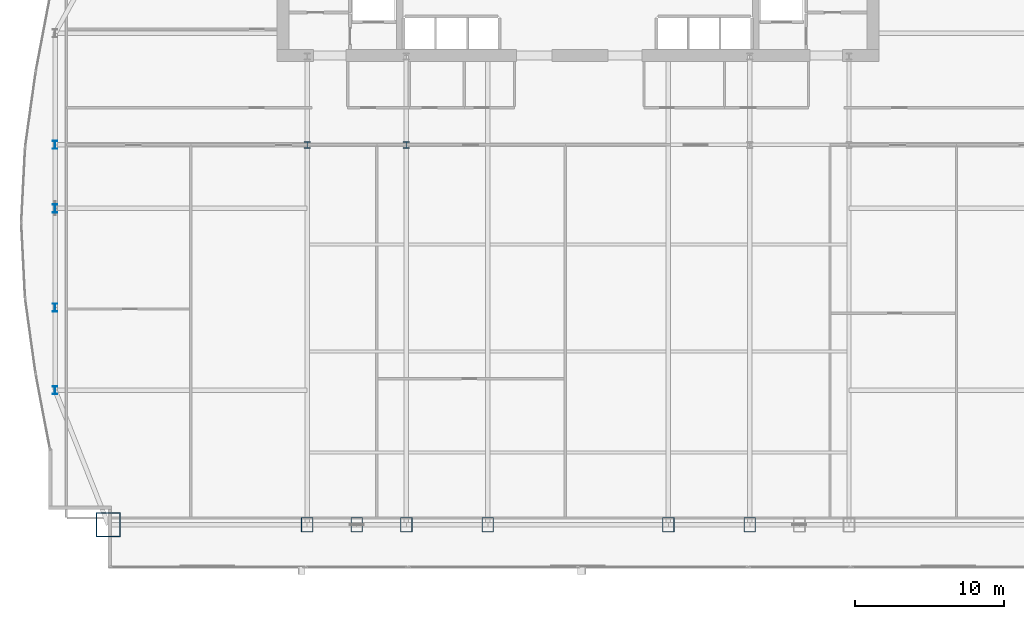
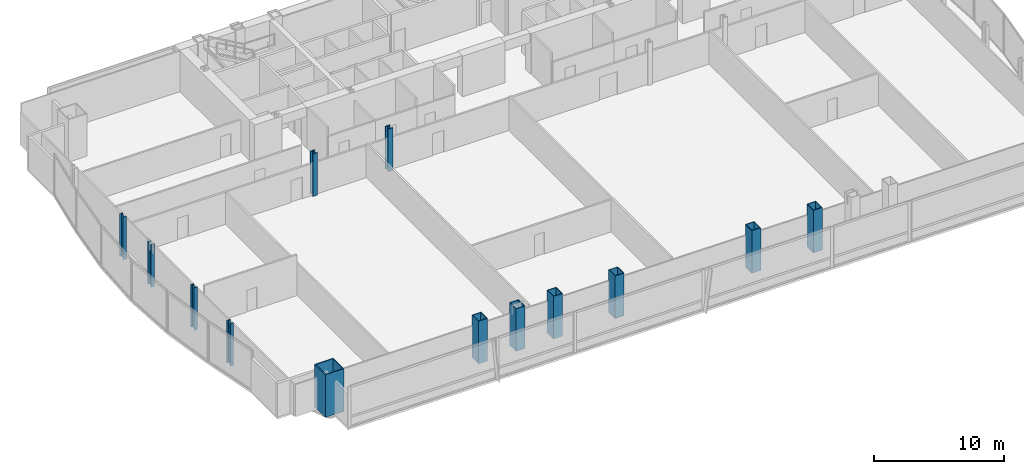
# One storey, part 1 of 37: 13 columns.
"""IFC4 building model written with IfcOpenShell, lengths in metres."""

from ifc_helpers import new_model, si_unit, direction, frame, origin, origin_2d, place, context, subcontext, project, spatial, hollow_rectangle, i_section, extrude, material, material_profile, profile_set, type_object, element, save


model = new_model("IFC4")

# Units and contexts
model_context = context("Model", 3, precision=1e-05, world=origin(), true_north=direction((0.0, 1.0)))
body_context = subcontext(model_context, "Body", "Model", "MODEL_VIEW")
ifc_project = project(units=[si_unit("LENGTHUNIT", "METRE"), si_unit("AREAUNIT", "SQUARE_METRE"), si_unit("VOLUMEUNIT", "CUBIC_METRE"), si_unit("PLANEANGLEUNIT", "RADIAN"), si_unit("MASSUNIT", "GRAM", prefix="KILO")], contexts=[model_context])

# Site, building, storey
site_placement = place(None, origin())
site = spatial("IfcSite", under=ifc_project, at=site_placement, CompositionType="ELEMENT")
building_placement = place(site_placement, origin())
building = spatial("IfcBuilding", under=site, at=building_placement, Name="Khoronbel Lancet Exchange", CompositionType="ELEMENT")
storey_placement = place(building_placement, frame((0.0, 0.0, 45.800048828125)))
storey = spatial("IfcBuildingStorey", under=building, at=storey_placement, Name="L10", CompositionType="ELEMENT", Elevation=45.800048828125)

# Columns
ifc_material_1 = material(Name="Steel S460", Category="steel")
ifc_material_profile_1 = material_profile(ifc_material_1, hollow_rectangle(XDim=0.800048828125, YDim=1.0, WallThickness=0.054931640625, at=origin_2d()), Name="BOX 1000x800x55")
ifc_profile_set_1 = profile_set([ifc_material_profile_1], Name="Steel S460")
column_type_1 = type_object("IfcColumnType", Name="COL-EC1", PredefinedType="COLUMN", material=ifc_profile_set_1)
for number, where, z_axis, x_axis, name in (
    (1, (18.22509765625, 10.14990234375, 0.0), (0.0, 0.0, 1.0), (1.0, 0.0, 0.0), "Structural column SC-W1 L10"),
    (2, (21.5625, 10.14990234375, 0.0), (0.0, 0.0, 1.0), (1.0, 0.0, 0.0), "Structural column SC-WM L10"),
    (3, (24.89990234375, 10.14990234375, 0.0), (0.0, 0.0, 1.0), (1.0, 0.0, 0.0), "Structural column SC-W2 L10"),
    (4, (30.375, 10.14990234375, 0.0), (0.0, 0.0, 1.0), (1.0, 0.0, 0.0), "Structural column SC-C1 L10"),
    (5, (42.52490234375, 10.14990234375, 0.0), (0.0, 0.0, 1.0), (1.0, 0.0, 0.0), "Structural column SC-C2 L10"),
    (6, (48.0, 10.14990234375, 0.0), (0.0, 0.0, 1.0), (1.0, 0.0, 0.0), "Structural column SC-E1 L10"),
):
    element("IfcColumn", number, at=place(storey_placement, frame(where, z_axis=z_axis, x_axis=x_axis)), inside=storey, type_object=column_type_1, Name=name, PredefinedType="COLUMN", context=body_context, shape_type="SweptSolid", body=[
        extrude(hollow_rectangle(XDim=0.800048828125, YDim=1.0, WallThickness=0.054931640625, at=origin_2d()), origin(), (0.0, 0.0, 1.0), 4.0),
    ])
ifc_material_profile_2 = material_profile(ifc_material_1, i_section(OverallWidth=0.424072265625, OverallDepth=0.47412109375, WebThickness=0.047607421875, FlangeThickness=0.076904296875, at=origin_2d()), Name="HD 400x634")
ifc_profile_set_2 = profile_set([ifc_material_profile_2], Name="Steel S460")
column_type_2 = type_object("IfcColumnType", Name="COL-IC1", PredefinedType="COLUMN", material=ifc_profile_set_2)
for number, where, z_axis, x_axis, name in (
    (7, (18.22509765625, 35.699951171875, 0.0), (0.0, 0.0, 1.0), (1.0, 0.0, 0.0), "Spine gravity column TC1 L10"),
    (8, (24.89990234375, 35.699951171875, 0.0), (0.0, 0.0, 1.0), (1.0, 0.0, 0.0), "Spine gravity column TC2 L10"),
):
    element("IfcColumn", number, at=place(storey_placement, frame(where, z_axis=z_axis, x_axis=x_axis)), inside=storey, type_object=column_type_2, Name=name, PredefinedType="COLUMN", context=body_context, shape_type="SweptSolid", body=[
        extrude(i_section(OverallWidth=0.424072265625, OverallDepth=0.47412109375, WebThickness=0.047607421875, FlangeThickness=0.076904296875, at=origin_2d()), origin(), (0.0, 0.0, 1.0), 4.0),
    ])
ifc_material_2 = material(Name="Steel S355", Category="steel")
ifc_material_profile_3 = material_profile(ifc_material_2, i_section(OverallWidth=0.300048828125, OverallDepth=0.550048828125, WebThickness=0.014892578125, FlangeThickness=0.029052734375, at=origin_2d()), Name="HEB 550")
ifc_profile_set_3 = profile_set([ifc_material_profile_3], Name="Steel S355")
column_type_3 = type_object("IfcColumnType", Name="COL-LC1", PredefinedType="COLUMN", material=ifc_profile_set_3)
for number, where, z_axis, x_axis, name in (
    (9, (1.27001953125, 19.199951171875, 0.0), (0.0, 0.0, 1.0), (1.0, 0.0, 0.0), "Structural column WC-1 L10"),
    (10, (1.27001953125, 24.75, 0.0), (0.0, 0.0, 1.0), (1.0, 0.0, 0.0), "Structural column WC-2 L10"),
    (11, (1.27001953125, 31.425048828125, 0.0), (0.0, 0.0, 1.0), (1.0, 0.0, 0.0), "Structural column WC-M L10"),
    (12, (1.27001953125, 35.699951171875, 0.0), (0.0, 0.0, 1.0), (1.0, 0.0, 0.0), "Structural column WC-3 L10"),
):
    element("IfcColumn", number, at=place(storey_placement, frame(where, z_axis=z_axis, x_axis=x_axis)), inside=storey, type_object=column_type_3, Name=name, PredefinedType="COLUMN", context=body_context, shape_type="SweptSolid", body=[
        extrude(i_section(OverallWidth=0.300048828125, OverallDepth=0.550048828125, WebThickness=0.014892578125, FlangeThickness=0.029052734375, at=origin_2d()), origin(), (0.0, 0.0, 1.0), 4.0),
    ])
ifc_material_profile_4 = material_profile(ifc_material_1, hollow_rectangle(XDim=1.64990234375, YDim=1.64990234375, WallThickness=0.074951171875, at=origin_2d()), Name="BOX 1650x1650x75")
ifc_profile_set_4 = profile_set([ifc_material_profile_4], Name="Steel S460")
column_type_4 = type_object("IfcColumnType", Name="COL-MC2", PredefinedType="COLUMN", material=ifc_profile_set_4)
column_placement = place(storey_placement, frame((4.85009765625, 10.14990234375, 0.0), z_axis=(0.0, 0.0, 1.0), x_axis=(1.0, 0.0, 0.0)))
element("IfcColumn", 13, at=column_placement, inside=storey, type_object=column_type_4, Name="Structural column MC-SW L10", PredefinedType="COLUMN", context=body_context, shape_type="SweptSolid", body=[
    extrude(hollow_rectangle(XDim=1.64990234375, YDim=1.64990234375, WallThickness=0.074951171875, at=origin_2d()), origin(), (0.0, 0.0, 1.0), 4.0),
])

save(model, "model.ifc")
